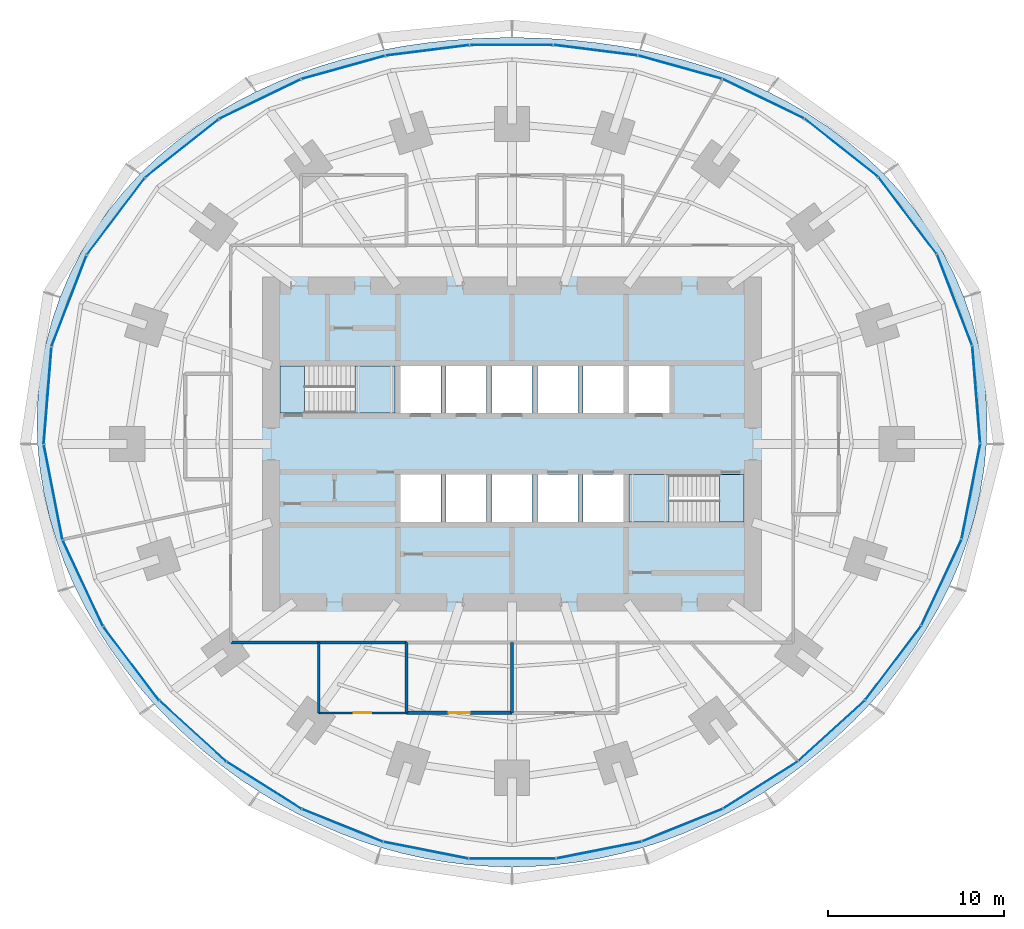
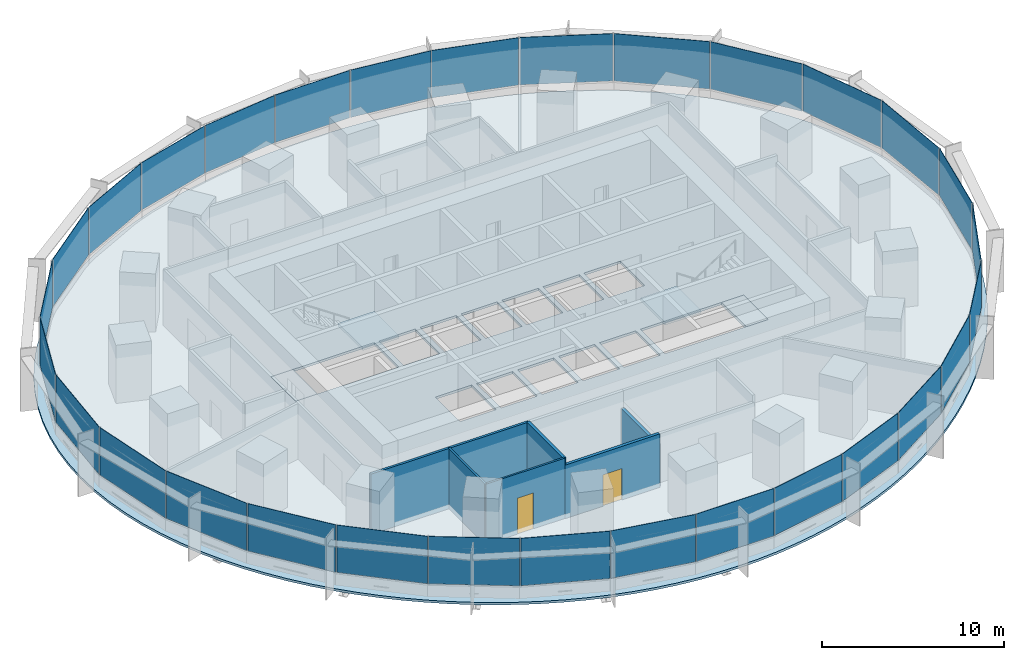
# One storey, part 10 of 15: 30 plates, 6 walls, 5 slabs, 2 doors, 2 openings, 8 elements without a shape of their own.
"""IFC4 building model written with IfcOpenShell, lengths in metres."""

from ifc_helpers import new_model, si_unit, direction, frame, frame_2d, origin, origin_2d, place, context, subcontext, project, spatial, polyline, rectangle, outline, extrude, material, layer, layer_set, type_object, element, fill, aggregate, save


model = new_model("IFC4")

# Units and contexts
model_context = context("Model", 3, precision=1e-05, world=origin(), true_north=direction((0.0, 1.0)))
body_context = subcontext(model_context, "Body", "Model", "MODEL_VIEW")
ifc_project = project(units=[si_unit("LENGTHUNIT", "METRE"), si_unit("AREAUNIT", "SQUARE_METRE"), si_unit("VOLUMEUNIT", "CUBIC_METRE"), si_unit("PLANEANGLEUNIT", "RADIAN"), si_unit("MASSUNIT", "GRAM", prefix="KILO")], contexts=[model_context])

# Site, building, storey
site_placement = place(None, origin())
site = spatial("IfcSite", under=ifc_project, at=site_placement, CompositionType="ELEMENT")
building_placement = place(site_placement, origin())
building = spatial("IfcBuilding", under=site, at=building_placement, Name="Marramba Exchange Tower", CompositionType="ELEMENT")
storey_placement = place(building_placement, frame((0.0, 0.0, 49.0)))
storey = spatial("IfcBuildingStorey", under=building, at=storey_placement, Name="L11", CompositionType="ELEMENT", Elevation=49.0)

# Slab
ifc_material_1 = material(Name="Concrete N40", Category="concrete")
ifc_layer_1 = layer(ifc_material_1, 0.159912109375)
ifc_layer_set_1 = layer_set([ifc_layer_1], Name="Composite floor slab 160")
slab_type_1 = type_object("IfcSlabType", Name="Composite floor slab 160", PredefinedType="FLOOR", material=ifc_layer_set_1)
slab_1_placement = place(storey_placement, frame((0.0, 0.0, -0.159912109375)))
element("IfcSlab", 1, at=slab_1_placement, inside=storey, type_object=slab_type_1, Name="Floor slab L11", PredefinedType="FLOOR", context=body_context, shape_type="SweptSolid", body=[
    extrude(outline(polyline([(27.0, 0.0), (27.035888671875, 1.4169921875), (26.97265625, 2.8349609375), (26.80859375, 4.24609375), (26.5439453125, 5.64208984375), (26.179443359375, 7.0146484375), (25.717529296875, 8.356201171875), (25.16162109375, 9.65869140625), (24.516357421875, 10.915283203125), (23.786865234375, 12.1201171875), (22.9794921875, 13.267333984375), (22.10107421875, 14.3525390625), (21.158447265625, 15.37255859375), (20.159423828125, 16.32470703125), (19.11083984375, 17.20751953125), (18.020263671875, 18.020263671875), (16.89453125, 18.763427734375), (15.740478515625, 19.437744140625), (14.563720703125, 20.04541015625), (13.3701171875, 20.588134765625), (12.164306640625, 21.069091796875), (10.9501953125, 21.4912109375), (9.7314453125, 21.857421875), (8.5107421875, 22.1708984375), (7.289794921875, 22.435302734375), (6.06982421875, 22.6533203125), (4.85205078125, 22.827392578125), (3.636474609375, 22.96044921875), (2.423095703125, 23.053955078125), (1.211181640625, 23.109619140625), (0.0, 23.1279296875), (-1.211181640625, 23.109619140625), (-2.423095703125, 23.053955078125), (-3.636474609375, 22.96044921875), (-4.85205078125, 22.827392578125), (-6.06982421875, 22.6533203125), (-7.289794921875, 22.435302734375), (-8.5107421875, 22.1708984375), (-9.7314453125, 21.857421875), (-10.9501953125, 21.4912109375), (-12.164306640625, 21.069091796875), (-13.3701171875, 20.588134765625), (-14.563720703125, 20.04541015625), (-15.740478515625, 19.437744140625), (-16.89453125, 18.763427734375), (-18.020263671875, 18.020263671875), (-19.11083984375, 17.20751953125), (-20.159423828125, 16.32470703125), (-21.158447265625, 15.37255859375), (-22.10107421875, 14.3525390625), (-22.9794921875, 13.267333984375), (-23.786865234375, 12.1201171875), (-24.516357421875, 10.915283203125), (-25.16162109375, 9.65869140625), (-25.717529296875, 8.356201171875), (-26.179443359375, 7.0146484375), (-26.5439453125, 5.64208984375), (-26.80859375, 4.24609375), (-26.97265625, 2.8349609375), (-27.035888671875, 1.4169921875), (-27.0, 0.0), (-26.8671875, -1.407958984375), (-26.64111328125, -2.800048828125), (-26.326171875, -4.169677734375), (-25.927001953125, -5.510986328125), (-25.44921875, -6.819091796875), (-24.8984375, -8.090087890625), (-24.280517578125, -9.320556640625), (-23.60107421875, -10.5078125), (-22.865234375, -11.650390625), (-22.078369140625, -12.7470703125), (-21.244873046875, -13.796630859375), (-20.36865234375, -14.798583984375), (-19.453369140625, -15.753173828125), (-18.502197265625, -16.659423828125), (-17.517578125, -17.517578125), (-16.501953125, -18.327392578125), (-15.457275390625, -19.088134765625), (-14.385009765625, -19.799072265625), (-13.286865234375, -20.459716796875), (-12.164306640625, -21.069091796875), (-11.01904296875, -21.6259765625), (-9.8525390625, -22.129150390625), (-8.66650390625, -22.577392578125), (-7.463134765625, -22.968994140625), (-6.244140625, -23.30322265625), (-5.01171875, -23.578369140625), (-3.7685546875, -23.793701171875), (-2.51708984375, -23.947998046875), (-1.260009765625, -24.041015625), (0.0, -24.072021484375), (1.260009765625, -24.041015625), (2.51708984375, -23.947998046875), (3.7685546875, -23.793701171875), (5.01171875, -23.578369140625), (6.244140625, -23.30322265625), (7.463134765625, -22.968994140625), (8.66650390625, -22.577392578125), (9.8525390625, -22.129150390625), (11.01904296875, -21.6259765625), (12.164306640625, -21.069091796875), (13.286865234375, -20.459716796875), (14.385009765625, -19.799072265625), (15.457275390625, -19.088134765625), (16.501953125, -18.327392578125), (17.517578125, -17.517578125), (18.502197265625, -16.659423828125), (19.453369140625, -15.753173828125), (20.36865234375, -14.798583984375), (21.244873046875, -13.796630859375), (22.078369140625, -12.7470703125), (22.865234375, -11.650390625), (23.60107421875, -10.5078125), (24.280517578125, -9.320556640625), (24.8984375, -8.090087890625), (25.44921875, -6.819091796875), (25.927001953125, -5.510986328125), (26.326171875, -4.169677734375), (26.64111328125, -2.800048828125), (26.8671875, -1.407958984375), (27.0, 0.0)]), holes=[polyline([(-6.35009765625, 1.75), (-4.050048828125, 1.75), (-4.050048828125, 4.449951171875), (-6.35009765625, 4.449951171875), (-6.35009765625, 1.75)]), polyline([(-3.75, 1.75), (-1.449951171875, 1.75), (-1.449951171875, 4.449951171875), (-3.75, 4.449951171875), (-3.75, 1.75)]), polyline([(-1.14990234375, 1.75), (1.14990234375, 1.75), (1.14990234375, 4.449951171875), (-1.14990234375, 4.449951171875), (-1.14990234375, 1.75)]), polyline([(1.449951171875, 1.75), (3.75, 1.75), (3.75, 4.449951171875), (1.449951171875, 4.449951171875), (1.449951171875, 1.75)]), polyline([(4.050048828125, 1.75), (6.35009765625, 1.75), (6.35009765625, 4.449951171875), (4.050048828125, 4.449951171875), (4.050048828125, 1.75)]), polyline([(-6.35009765625, -4.449951171875), (-4.050048828125, -4.449951171875), (-4.050048828125, -1.75), (-6.35009765625, -1.75), (-6.35009765625, -4.449951171875)]), polyline([(-3.75, -4.449951171875), (-1.449951171875, -4.449951171875), (-1.449951171875, -1.75), (-3.75, -1.75), (-3.75, -4.449951171875)]), polyline([(-1.14990234375, -4.449951171875), (1.14990234375, -4.449951171875), (1.14990234375, -1.75), (-1.14990234375, -1.75), (-1.14990234375, -4.449951171875)]), polyline([(1.449951171875, -4.449951171875), (3.75, -4.449951171875), (3.75, -1.75), (1.449951171875, -1.75), (1.449951171875, -4.449951171875)]), polyline([(4.050048828125, -4.449951171875), (6.35009765625, -4.449951171875), (6.35009765625, -1.75), (4.050048828125, -1.75), (4.050048828125, -4.449951171875)]), polyline([(6.64990234375, 1.75), (8.949951171875, 1.75), (8.949951171875, 4.449951171875), (6.64990234375, 4.449951171875), (6.64990234375, 1.75)]), polyline([(-13.199951171875, 1.75), (-6.64990234375, 1.75), (-6.64990234375, 4.449951171875), (-13.199951171875, 4.449951171875), (-13.199951171875, 1.75)]), polyline([(6.64990234375, -4.449951171875), (13.199951171875, -4.449951171875), (13.199951171875, -1.75), (6.64990234375, -1.75), (6.64990234375, -4.449951171875)])]), origin(), (0.0, 0.0, 1.0), 0.159912109375),
])

# Stair, slabs
ifc_material_2 = material(Name="Concrete N40 (40 MPa)", Category="concrete")
stair_type_1 = type_object("IfcStairType", Name="Exit stair ST1 4200 x 1250", PredefinedType="HALF_TURN_STAIR", material=ifc_material_2)
stair_1_placement = place(storey_placement, origin())
stair_1 = element("IfcStair", 2, at=stair_1_placement, inside=storey, type_object=stair_type_1, Name="Exit stair ST1 L11", PredefinedType="HALF_TURN_STAIR")
ifc_layer_2 = layer(ifc_material_2, 0.199951171875)
ifc_layer_set_2 = layer_set([ifc_layer_2], Name="Stair landing 200")
slab_type_2 = type_object("IfcSlabType", Name="Stair landing 200", PredefinedType="LANDING", material=ifc_layer_set_2)
slab_2_placement = place(storey_placement, frame((0.0, 0.0, -0.199951171875)))
slab_2 = element("IfcSlab", 3, at=slab_2_placement, type_object=slab_type_2, Name="ST1 landing 1", PredefinedType="LANDING", context=body_context, shape_type="SweptSolid", body=[
    extrude(outline(polyline([(-13.199951171875, 1.75), (-11.800048828125, 1.75), (-11.800048828125, 4.449951171875), (-13.199951171875, 4.449951171875), (-13.199951171875, 1.75)])), origin(), (0.0, 0.0, 1.0), 0.199951171875),
])
slab_3_placement = place(storey_placement, frame((0.0, 0.0, 1.89990234375)))
slab_3 = element("IfcSlab", 4, at=slab_3_placement, type_object=slab_type_2, Name="ST1 landing 2", PredefinedType="LANDING", context=body_context, shape_type="SweptSolid", body=[
    extrude(outline(polyline([(-8.93994140625, 1.75), (-6.64990234375, 1.75), (-6.64990234375, 4.449951171875), (-8.93994140625, 4.449951171875), (-8.93994140625, 1.75)])), origin(), (0.0, 0.0, 1.0), 0.2001953125),
])
aggregate(stair_1, [slab_2, slab_3])

stair_type_2 = type_object("IfcStairType", Name="Exit stair ST2 4200 x 1250", PredefinedType="HALF_TURN_STAIR", material=ifc_material_2)
stair_2_placement = place(storey_placement, origin())
stair_2 = element("IfcStair", 5, at=stair_2_placement, inside=storey, type_object=stair_type_2, Name="Exit stair ST2 L11", PredefinedType="HALF_TURN_STAIR")
slab_4_placement = place(storey_placement, frame((0.0, 0.0, -0.199951171875)))
slab_4 = element("IfcSlab", 6, at=slab_4_placement, type_object=slab_type_2, Name="ST2 landing 1", PredefinedType="LANDING", context=body_context, shape_type="SweptSolid", body=[
    extrude(outline(polyline([(11.800048828125, -4.449951171875), (13.199951171875, -4.449951171875), (13.199951171875, -1.75), (11.800048828125, -1.75), (11.800048828125, -4.449951171875)])), origin(), (0.0, 0.0, 1.0), 0.199951171875),
])
slab_5_placement = place(storey_placement, frame((0.0, 0.0, 1.89990234375)))
slab_5 = element("IfcSlab", 7, at=slab_5_placement, type_object=slab_type_2, Name="ST2 landing 2", PredefinedType="LANDING", context=body_context, shape_type="SweptSolid", body=[
    extrude(outline(polyline([(6.64990234375, -4.449951171875), (8.93994140625, -4.449951171875), (8.93994140625, -1.75), (6.64990234375, -1.75), (6.64990234375, -4.449951171875)])), origin(), (0.0, 0.0, 1.0), 0.2001953125),
])
aggregate(stair_2, [slab_4, slab_5])

# Curtain wall, plates
ifc_material_3 = material(Name="Aluminium framing, bronze anodised", Category="aluminium")
curtain_wall_type = type_object("IfcCurtainWallType", Name="Trading floor ribbon curtain wall", PredefinedType="USERDEFINED", material=ifc_material_3)
curtain_wall_1_placement = place(storey_placement, origin())
curtain_wall_1 = element("IfcCurtainWall", 8, at=curtain_wall_1_placement, inside=storey, type_object=curtain_wall_type, Name="Curtain wall CW3 L11 F01-F05", ObjectType="RIBBON CURTAIN WALL", PredefinedType="USERDEFINED")
ifc_material_4 = material(Name="Double glazed unit 10 + 12 + 8.76, bronze tinted", Category="glass")
ifc_layer_3 = layer(ifc_material_4, 0.03076171875)
ifc_layer_set_3 = layer_set([ifc_layer_3], Name="Trading floor ribbon curtain wall panel")
plate_type = type_object("IfcPlateType", Name="Trading floor ribbon curtain wall panel", PredefinedType="CURTAIN_PANEL", material=ifc_layer_set_3)
plate_1_placement = place(storey_placement, frame((26.42333984375, 2.814453125, 0.85986328125), z_axis=(0.0, 0.0, 1.0), x_axis=(-0.080275225953, 0.996772736434, 0.0)))
plate_1 = element("IfcPlate", 9, at=plate_1_placement, type_object=plate_type, Name="CW3 vision panel", PredefinedType="CURTAIN_PANEL", context=body_context, shape_type="SweptSolid", body=[
    extrude(rectangle(XDim=5.52734375, YDim=0.03076171875, at=origin_2d()), origin(), (0.0, 0.0, 1.0), 3.179931640625),
])
plate_2_placement = place(storey_placement, frame((25.188232421875, 8.19921875, 0.85986328125), z_axis=(0.0, 0.0, 1.0), x_axis=(-0.359525510698, 0.933135256626, 0.0)))
plate_2 = element("IfcPlate", 10, at=plate_2_placement, type_object=plate_type, Name="CW3 vision panel", PredefinedType="CURTAIN_PANEL", context=body_context, shape_type="SweptSolid", body=[
    extrude(rectangle(XDim=5.5166015625, YDim=0.03076171875, at=origin_2d()), origin(), (0.0, 0.0, 1.0), 3.179931640625),
])
plate_3_placement = place(storey_placement, frame((22.517822265625, 12.993896484375, 0.85986328125), z_axis=(0.0, 0.0, 1.0), x_axis=(-0.602989765036, 0.797748922445, 0.0)))
plate_3 = element("IfcPlate", 11, at=plate_3_placement, type_object=plate_type, Name="CW3 vision panel", PredefinedType="CURTAIN_PANEL", context=body_context, shape_type="SweptSolid", body=[
    extrude(rectangle(XDim=5.44775390625, YDim=0.03076171875, at=origin_2d()), origin(), (0.0, 0.0, 1.0), 3.179931640625),
])
plate_4_placement = place(storey_placement, frame((18.744384765625, 16.853759765625, 0.85986328125), z_axis=(0.0, 0.0, 1.0), x_axis=(-0.784087949432, 0.620649730166, 0.0)))
plate_4 = element("IfcPlate", 12, at=plate_4_placement, type_object=plate_type, Name="CW3 vision panel", PredefinedType="CURTAIN_PANEL", context=body_context, shape_type="SweptSolid", body=[
    extrude(rectangle(XDim=5.315673828125, YDim=0.03076171875, at=origin_2d()), origin(), (0.0, 0.0, 1.0), 3.179931640625),
])
plate_5_placement = place(storey_placement, frame((14.2978515625, 19.647705078125, 0.85986328125), z_axis=(0.0, 0.0, 1.0), x_axis=(-0.899963433508, 0.43596538664, 0.0)))
plate_5 = element("IfcPlate", 13, at=plate_5_placement, type_object=plate_type, Name="CW3 vision panel", PredefinedType="CURTAIN_PANEL", context=body_context, shape_type="SweptSolid", body=[
    extrude(rectangle(XDim=5.13037109375, YDim=0.03076171875, at=origin_2d()), origin(), (0.0, 0.0, 1.0), 3.179931640625),
])
aggregate(curtain_wall_1, [plate_1, plate_2, plate_3, plate_4, plate_5])

curtain_wall_2_placement = place(storey_placement, origin())
curtain_wall_2 = element("IfcCurtainWall", 14, at=curtain_wall_2_placement, inside=storey, type_object=curtain_wall_type, Name="Curtain wall CW3 L11 F06-F10", ObjectType="RIBBON CURTAIN WALL", PredefinedType="USERDEFINED")
plate_6_placement = place(storey_placement, frame((9.556396484375, 21.4423828125, 0.85986328125), z_axis=(0.0, 0.0, 1.0), x_axis=(-0.963472096649, 0.267808735815, 0.0)))
plate_6 = element("IfcPlate", 15, at=plate_6_placement, type_object=plate_type, Name="CW3 vision panel", PredefinedType="CURTAIN_PANEL", context=body_context, shape_type="SweptSolid", body=[
    extrude(rectangle(XDim=4.929931640625, YDim=0.03076171875, at=origin_2d()), origin(), (0.0, 0.0, 1.0), 3.179931640625),
])
plate_7_placement = place(storey_placement, frame((4.754150390625, 22.407958984375, 0.85986328125), z_axis=(0.0, 0.0, 1.0), x_axis=(-0.992172768738, 0.124872723099, 0.0)))
plate_7 = element("IfcPlate", 16, at=plate_7_placement, type_object=plate_type, Name="CW3 vision panel", PredefinedType="CURTAIN_PANEL", context=body_context, shape_type="SweptSolid", body=[
    extrude(rectangle(XDim=4.77294921875, YDim=0.03076171875, at=origin_2d()), origin(), (0.0, 0.0, 1.0), 3.179931640625),
])
plate_8_placement = place(storey_placement, frame((-0.030029296875, 22.7060546875, 0.85986328125), z_axis=(0.0, 0.0, 1.0), x_axis=(-1.0, 0.0, 0.0)))
plate_8 = element("IfcPlate", 17, at=plate_8_placement, type_object=plate_type, Name="CW3 vision panel", PredefinedType="CURTAIN_PANEL", context=body_context, shape_type="SweptSolid", body=[
    extrude(rectangle(XDim=4.712890625, YDim=0.03076171875, at=origin_2d()), origin(), (0.0, 0.0, 1.0), 3.179931640625),
])
plate_9_placement = place(storey_placement, frame((-4.813720703125, 22.400390625, 0.85986328125), z_axis=(0.0, 0.0, 1.0), x_axis=(-0.992172768738, -0.124872723099, 0.0)))
plate_9 = element("IfcPlate", 18, at=plate_9_placement, type_object=plate_type, Name="CW3 vision panel", PredefinedType="CURTAIN_PANEL", context=body_context, shape_type="SweptSolid", body=[
    extrude(rectangle(XDim=4.77294921875, YDim=0.03076171875, at=origin_2d()), origin(), (0.0, 0.0, 1.0), 3.179931640625),
])
plate_10_placement = place(storey_placement, frame((-9.6142578125, 21.42626953125, 0.85986328125), z_axis=(0.0, 0.0, 1.0), x_axis=(-0.963472096649, -0.267808735815, 0.0)))
plate_10 = element("IfcPlate", 19, at=plate_10_placement, type_object=plate_type, Name="CW3 vision panel", PredefinedType="CURTAIN_PANEL", context=body_context, shape_type="SweptSolid", body=[
    extrude(rectangle(XDim=4.929931640625, YDim=0.03076171875, at=origin_2d()), origin(), (0.0, 0.0, 1.0), 3.179931640625),
])
aggregate(curtain_wall_2, [plate_6, plate_7, plate_8, plate_9, plate_10])

curtain_wall_3_placement = place(storey_placement, origin())
curtain_wall_3 = element("IfcCurtainWall", 20, at=curtain_wall_3_placement, inside=storey, type_object=curtain_wall_type, Name="Curtain wall CW3 L11 F11-F15", ObjectType="RIBBON CURTAIN WALL", PredefinedType="USERDEFINED")
plate_11_placement = place(storey_placement, frame((-14.351806640625, 19.62158203125, 0.85986328125), z_axis=(0.0, 0.0, 1.0), x_axis=(-0.899963433508, -0.43596538664, 0.0)))
plate_11 = element("IfcPlate", 21, at=plate_11_placement, type_object=plate_type, Name="CW3 vision panel", PredefinedType="CURTAIN_PANEL", context=body_context, shape_type="SweptSolid", body=[
    extrude(rectangle(XDim=5.13037109375, YDim=0.03076171875, at=origin_2d()), origin(), (0.0, 0.0, 1.0), 3.179931640625),
])
plate_12_placement = place(storey_placement, frame((-18.79150390625, 16.81640625, 0.85986328125), z_axis=(0.0, 0.0, 1.0), x_axis=(-0.784087949432, -0.620649730166, 0.0)))
plate_12 = element("IfcPlate", 22, at=plate_12_placement, type_object=plate_type, Name="CW3 vision panel", PredefinedType="CURTAIN_PANEL", context=body_context, shape_type="SweptSolid", body=[
    extrude(rectangle(XDim=5.315673828125, YDim=0.03076171875, at=origin_2d()), origin(), (0.0, 0.0, 1.0), 3.179931640625),
])
plate_13_placement = place(storey_placement, frame((-22.553955078125, 12.946044921875, 0.85986328125), z_axis=(0.0, 0.0, 1.0), x_axis=(-0.602989765036, -0.797748922445, 0.0)))
plate_13 = element("IfcPlate", 23, at=plate_13_placement, type_object=plate_type, Name="CW3 vision panel", PredefinedType="CURTAIN_PANEL", context=body_context, shape_type="SweptSolid", body=[
    extrude(rectangle(XDim=5.44775390625, YDim=0.03076171875, at=origin_2d()), origin(), (0.0, 0.0, 1.0), 3.179931640625),
])
plate_14_placement = place(storey_placement, frame((-25.209716796875, 8.14306640625, 0.85986328125), z_axis=(0.0, 0.0, 1.0), x_axis=(-0.359525510698, -0.933135256626, 0.0)))
plate_14 = element("IfcPlate", 24, at=plate_14_placement, type_object=plate_type, Name="CW3 vision panel", PredefinedType="CURTAIN_PANEL", context=body_context, shape_type="SweptSolid", body=[
    extrude(rectangle(XDim=5.5166015625, YDim=0.03076171875, at=origin_2d()), origin(), (0.0, 0.0, 1.0), 3.179931640625),
])
plate_15_placement = place(storey_placement, frame((-26.42822265625, 2.754638671875, 0.85986328125), z_axis=(0.0, 0.0, 1.0), x_axis=(-0.080275225953, -0.996772736434, 0.0)))
plate_15 = element("IfcPlate", 25, at=plate_15_placement, type_object=plate_type, Name="CW3 vision panel", PredefinedType="CURTAIN_PANEL", context=body_context, shape_type="SweptSolid", body=[
    extrude(rectangle(XDim=5.52734375, YDim=0.03076171875, at=origin_2d()), origin(), (0.0, 0.0, 1.0), 3.179931640625),
])
aggregate(curtain_wall_3, [plate_11, plate_12, plate_13, plate_14, plate_15])

curtain_wall_4_placement = place(storey_placement, origin())
curtain_wall_4 = element("IfcCurtainWall", 26, at=curtain_wall_4_placement, inside=storey, type_object=curtain_wall_type, Name="Curtain wall CW3 L11 F16-F20", ObjectType="RIBBON CURTAIN WALL", PredefinedType="USERDEFINED")
plate_16_placement = place(storey_placement, frame((-26.111572265625, -2.74853515625, 0.85986328125), z_axis=(0.0, 0.0, 1.0), x_axis=(0.1922485756, -0.981346261612, 0.0)))
plate_16 = element("IfcPlate", 27, at=plate_16_placement, type_object=plate_type, Name="CW3 vision panel", PredefinedType="CURTAIN_PANEL", context=body_context, shape_type="SweptSolid", body=[
    extrude(rectangle(XDim=5.4814453125, YDim=0.03076171875, at=origin_2d()), origin(), (0.0, 0.0, 1.0), 3.179931640625),
])
plate_17_placement = place(storey_placement, frame((-24.420166015625, -7.928955078125, 0.85986328125), z_axis=(0.0, 0.0, 1.0), x_axis=(0.423477206492, -0.905906758768, 0.0)))
plate_17 = element("IfcPlate", 28, at=plate_17_placement, type_object=plate_type, Name="CW3 vision panel", PredefinedType="CURTAIN_PANEL", context=body_context, shape_type="SweptSolid", body=[
    extrude(rectangle(XDim=5.379150390625, YDim=0.03076171875, at=origin_2d()), origin(), (0.0, 0.0, 1.0), 3.179931640625),
])
plate_18_placement = place(storey_placement, frame((-21.665283203125, -12.503173828125, 0.85986328125), z_axis=(0.0, 0.0, 1.0), x_axis=(0.603040473588, -0.797710591138, 0.0)))
plate_18 = element("IfcPlate", 29, at=plate_18_placement, type_object=plate_type, Name="CW3 vision panel", PredefinedType="CURTAIN_PANEL", context=body_context, shape_type="SweptSolid", body=[
    extrude(rectangle(XDim=5.239501953125, YDim=0.03076171875, at=origin_2d()), origin(), (0.0, 0.0, 1.0), 3.179931640625),
])
plate_19_placement = place(storey_placement, frame((-18.154541015625, -16.350341796875, 0.85986328125), z_axis=(0.0, 0.0, 1.0), x_axis=(0.739589581463, -0.673058133441, 0.0)))
plate_19 = element("IfcPlate", 30, at=plate_19_placement, type_object=plate_type, Name="CW3 vision panel", PredefinedType="CURTAIN_PANEL", context=body_context, shape_type="SweptSolid", body=[
    extrude(rectangle(XDim=5.101806640625, YDim=0.03076171875, at=origin_2d()), origin(), (0.0, 0.0, 1.0), 3.179931640625),
])
plate_20_placement = place(storey_placement, frame((-14.103271484375, -19.4326171875, 0.85986328125), z_axis=(0.0, 0.0, 1.0), x_axis=(0.845790826298, -0.533514646612, 0.0)))
plate_20 = element("IfcPlate", 31, at=plate_20_placement, type_object=plate_type, Name="CW3 vision panel", PredefinedType="CURTAIN_PANEL", context=body_context, shape_type="SweptSolid", body=[
    extrude(rectangle(XDim=4.99853515625, YDim=0.03076171875, at=origin_2d()), origin(), (0.0, 0.0, 1.0), 3.179931640625),
])
aggregate(curtain_wall_4, [plate_16, plate_17, plate_18, plate_19, plate_20])

curtain_wall_5_placement = place(storey_placement, origin())
curtain_wall_5 = element("IfcCurtainWall", 32, at=curtain_wall_5_placement, inside=storey, type_object=curtain_wall_type, Name="Curtain wall CW3 L11 F21-F25", ObjectType="RIBBON CURTAIN WALL", PredefinedType="USERDEFINED")
plate_21_placement = place(storey_placement, frame((-9.644287109375, -21.71240234375, 0.85986328125), z_axis=(0.0, 0.0, 1.0), x_axis=(0.927340673283, -0.374218219325, 0.0)))
plate_21 = element("IfcPlate", 33, at=plate_21_placement, type_object=plate_type, Name="CW3 vision panel", PredefinedType="CURTAIN_PANEL", context=body_context, shape_type="SweptSolid", body=[
    extrude(rectangle(XDim=4.9375, YDim=0.03076171875, at=origin_2d()), origin(), (0.0, 0.0, 1.0), 3.179931640625),
])
plate_22_placement = place(storey_placement, frame((-4.88818359375, -23.1240234375, 0.85986328125), z_axis=(0.0, 0.0, 1.0), x_axis=(0.98100920064, -0.193961202977, 0.0)))
plate_22 = element("IfcPlate", 34, at=plate_22_placement, type_object=plate_type, Name="CW3 vision panel", PredefinedType="CURTAIN_PANEL", context=body_context, shape_type="SweptSolid", body=[
    extrude(rectangle(XDim=4.908935546875, YDim=0.03076171875, at=origin_2d()), origin(), (0.0, 0.0, 1.0), 3.179931640625),
])
plate_23_placement = place(storey_placement, frame((0.030029296875, -23.599853515625, 0.85986328125), z_axis=(0.0, 0.0, 1.0), x_axis=(1.0, 0.0, 0.0)))
plate_23 = element("IfcPlate", 35, at=plate_23_placement, type_object=plate_type, Name="CW3 vision panel", PredefinedType="CURTAIN_PANEL", context=body_context, shape_type="SweptSolid", body=[
    extrude(rectangle(XDim=4.90087890625, YDim=0.03076171875, at=origin_2d()), origin(), (0.0, 0.0, 1.0), 3.179931640625),
])
plate_24_placement = place(storey_placement, frame((4.947021484375, -23.1123046875, 0.85986328125), z_axis=(0.0, 0.0, 1.0), x_axis=(0.98100920064, 0.193961202977, 0.0)))
plate_24 = element("IfcPlate", 36, at=plate_24_placement, type_object=plate_type, Name="CW3 vision panel", PredefinedType="CURTAIN_PANEL", context=body_context, shape_type="SweptSolid", body=[
    extrude(rectangle(XDim=4.908935546875, YDim=0.03076171875, at=origin_2d()), origin(), (0.0, 0.0, 1.0), 3.179931640625),
])
plate_25_placement = place(storey_placement, frame((9.699951171875, -21.68994140625, 0.85986328125), z_axis=(0.0, 0.0, 1.0), x_axis=(0.927340673283, 0.374218219325, 0.0)))
plate_25 = element("IfcPlate", 37, at=plate_25_placement, type_object=plate_type, Name="CW3 vision panel", PredefinedType="CURTAIN_PANEL", context=body_context, shape_type="SweptSolid", body=[
    extrude(rectangle(XDim=4.9375, YDim=0.03076171875, at=origin_2d()), origin(), (0.0, 0.0, 1.0), 3.179931640625),
])
aggregate(curtain_wall_5, [plate_21, plate_22, plate_23, plate_24, plate_25])

curtain_wall_6_placement = place(storey_placement, origin())
curtain_wall_6 = element("IfcCurtainWall", 38, at=curtain_wall_6_placement, inside=storey, type_object=curtain_wall_type, Name="Curtain wall CW3 L11 F26-F30", ObjectType="RIBBON CURTAIN WALL", PredefinedType="USERDEFINED")
plate_26_placement = place(storey_placement, frame((14.15380859375, -19.400634765625, 0.85986328125), z_axis=(0.0, 0.0, 1.0), x_axis=(0.845790826298, 0.533514646612, 0.0)))
plate_26 = element("IfcPlate", 39, at=plate_26_placement, type_object=plate_type, Name="CW3 vision panel", PredefinedType="CURTAIN_PANEL", context=body_context, shape_type="SweptSolid", body=[
    extrude(rectangle(XDim=4.99853515625, YDim=0.03076171875, at=origin_2d()), origin(), (0.0, 0.0, 1.0), 3.179931640625),
])
plate_27_placement = place(storey_placement, frame((18.19873046875, -16.309814453125, 0.85986328125), z_axis=(0.0, 0.0, 1.0), x_axis=(0.739589581463, 0.673058133441, 0.0)))
plate_27 = element("IfcPlate", 40, at=plate_27_placement, type_object=plate_type, Name="CW3 vision panel", PredefinedType="CURTAIN_PANEL", context=body_context, shape_type="SweptSolid", body=[
    extrude(rectangle(XDim=5.101806640625, YDim=0.03076171875, at=origin_2d()), origin(), (0.0, 0.0, 1.0), 3.179931640625),
])
plate_28_placement = place(storey_placement, frame((21.701416015625, -12.455322265625, 0.85986328125), z_axis=(0.0, 0.0, 1.0), x_axis=(0.603040473588, 0.797710591138, 0.0)))
plate_28 = element("IfcPlate", 41, at=plate_28_placement, type_object=plate_type, Name="CW3 vision panel", PredefinedType="CURTAIN_PANEL", context=body_context, shape_type="SweptSolid", body=[
    extrude(rectangle(XDim=5.239501953125, YDim=0.03076171875, at=origin_2d()), origin(), (0.0, 0.0, 1.0), 3.179931640625),
])
plate_29_placement = place(storey_placement, frame((24.44580078125, -7.874755859375, 0.85986328125), z_axis=(0.0, 0.0, 1.0), x_axis=(0.423477206492, 0.905906758768, 0.0)))
plate_29 = element("IfcPlate", 42, at=plate_29_placement, type_object=plate_type, Name="CW3 vision panel", PredefinedType="CURTAIN_PANEL", context=body_context, shape_type="SweptSolid", body=[
    extrude(rectangle(XDim=5.379150390625, YDim=0.03076171875, at=origin_2d()), origin(), (0.0, 0.0, 1.0), 3.179931640625),
])
plate_30_placement = place(storey_placement, frame((26.123046875, -2.689697265625, 0.85986328125), z_axis=(0.0, 0.0, 1.0), x_axis=(0.1922485756, 0.981346261612, 0.0)))
plate_30 = element("IfcPlate", 43, at=plate_30_placement, type_object=plate_type, Name="CW3 vision panel", PredefinedType="CURTAIN_PANEL", context=body_context, shape_type="SweptSolid", body=[
    extrude(rectangle(XDim=5.4814453125, YDim=0.03076171875, at=origin_2d()), origin(), (0.0, 0.0, 1.0), 3.179931640625),
])
aggregate(curtain_wall_6, [plate_26, plate_27, plate_28, plate_29, plate_30])

# Wall
ifc_material_5 = material(Name="Core-filled concrete blockwork, rendered", Category="masonry")
ifc_layer_4 = layer(ifc_material_5, 0.18994140625)
ifc_layer_set_4 = layer_set([ifc_layer_4], Name="Equipment room wall 190")
wall_type_1 = type_object("IfcWallType", Name="Equipment room wall 190", PredefinedType="SOLIDWALL", material=ifc_layer_set_4)
wall_1_placement = place(storey_placement, frame((-6.0, -15.300048828125, 0.0), z_axis=(0.0, 0.0, 1.0), x_axis=(0.0, 1.0, 0.0)))
element("IfcWall", 44, at=wall_1_placement, inside=storey, type_object=wall_type_1, Name="Equipment room wall L11 07", PredefinedType="SOLIDWALL", context=body_context, shape_type="SweptSolid", body=[
    extrude(rectangle(XDim=4.0, YDim=0.18994140625, at=frame_2d((2.0, 0.0))), origin(), (0.0, 0.0, 1.0), 4.0400390625),
])

# Wall, opening, door
wall_2_placement = place(storey_placement, frame((-6.0, -15.300048828125, 0.0), z_axis=(0.0, 0.0, 1.0), x_axis=(1.0, 0.0, 0.0)))
wall_2 = element("IfcWall", 45, at=wall_2_placement, inside=storey, type_object=wall_type_1, Name="Equipment room wall L11 09", PredefinedType="SOLIDWALL", context=body_context, shape_type="SweptSolid", body=[
    extrude(rectangle(XDim=6.0, YDim=0.18994140625, at=frame_2d((3.0, 0.0))), origin(), (0.0, 0.0, 1.0), 3.5859375),
])
opening_1_placement = place(wall_2_placement, frame((2.39990234375, 0.0, 0.0)))
opening_1 = element("IfcOpeningElement", 46, at=opening_1_placement, cuts=wall_2, Name="Opening D16", PredefinedType="OPENING", context=body_context, shape_type="SweptSolid", body=[
    extrude(rectangle(XDim=1.199951171875, YDim=2.10009765625, at=frame_2d((0.60009765625, 1.050048828125))), frame((0.0, 0.10498046875, 0.0), z_axis=(0.0, -1.0, 0.0), x_axis=(1.0, 0.0, 0.0)), (0.0, 0.0, 1.0), 0.2099609375),
])
ifc_material_6 = material(Name="Steel-framed door", Category="steel")
door_type_1 = type_object("IfcDoorType", Name="Equipment room door 1200x2100", OperationType="SINGLE_SWING_LEFT", PredefinedType="DOOR", material=ifc_material_6)
door_1_placement = place(opening_1_placement, origin())
door_1 = element("IfcDoor", 47, at=door_1_placement, inside=storey, type_object=door_type_1, Name="D16 Data Room 3 L11", OperationType="SINGLE_SWING_RIGHT", OverallHeight=2.10009765625, OverallWidth=1.199951171875, PredefinedType="DOOR", context=body_context, shape_type="SweptSolid", body=[
    extrude(rectangle(XDim=1.199951171875, YDim=2.10009765625, at=frame_2d((0.60009765625, 1.050048828125))), frame((0.0, 0.02490234375, 0.0), z_axis=(0.0, -1.0, 0.0), x_axis=(1.0, 0.0, 0.0)), (0.0, 0.0, 1.0), 0.050048828125),
])
fill(opening_1, door_1)

# Walls
wall_3_placement = place(storey_placement, frame((0.0, -11.300048828125, 0.0), z_axis=(0.0, 0.0, 1.0), x_axis=(0.0, -1.0, 0.0)))
element("IfcWall", 48, at=wall_3_placement, inside=storey, type_object=wall_type_1, Name="Equipment room wall L11 10", PredefinedType="SOLIDWALL", context=body_context, shape_type="SweptSolid", body=[
    extrude(rectangle(XDim=4.0, YDim=0.18994140625, at=frame_2d((2.0, 0.0))), origin(), (0.0, 0.0, 1.0), 2.840087890625),
])
ifc_material_7 = material(Name="Plasterboard on steel studs", Category="steel")
ifc_layer_5 = layer(ifc_material_7, 0.1201171875)
ifc_layer_set_5 = layer_set([ifc_layer_5], Name="Partition 120")
wall_type_2 = type_object("IfcWallType", Name="Partition 120", PredefinedType="PARTITIONING", material=ifc_layer_set_5)
wall_4_placement = place(storey_placement, frame((-11.0, -11.300048828125, 0.0), z_axis=(0.0, 0.0, 1.0), x_axis=(0.0, -1.0, 0.0)))
element("IfcWall", 49, at=wall_4_placement, inside=storey, type_object=wall_type_2, Name="Partition L11 05", PredefinedType="PARTITIONING", context=body_context, shape_type="SweptSolid", body=[
    extrude(rectangle(XDim=4.0, YDim=0.1201171875, at=frame_2d((2.0, 0.0))), origin(), (0.0, 0.0, 1.0), 4.0400390625),
])

# Wall, opening, door
wall_5_placement = place(storey_placement, frame((-11.0, -15.300048828125, 0.0), z_axis=(0.0, 0.0, 1.0), x_axis=(1.0, 0.0, 0.0)))
wall_5 = element("IfcWall", 50, at=wall_5_placement, inside=storey, type_object=wall_type_2, Name="Partition L11 06", PredefinedType="PARTITIONING", context=body_context, shape_type="SweptSolid", body=[
    extrude(rectangle(XDim=5.0, YDim=0.1201171875, at=frame_2d((2.5, 0.0))), origin(), (0.0, 0.0, 1.0), 4.0400390625),
])
opening_2_placement = place(wall_5_placement, frame((2.0, 0.0, 0.0)))
opening_2 = element("IfcOpeningElement", 51, at=opening_2_placement, cuts=wall_5, Name="Opening D9", PredefinedType="OPENING", context=body_context, shape_type="SweptSolid", body=[
    extrude(rectangle(XDim=1.0, YDim=2.39990234375, at=frame_2d((0.5, 1.199951171875))), frame((0.0, 0.070068359375, 0.0), z_axis=(0.0, -1.0, 0.0), x_axis=(1.0, 0.0, 0.0)), (0.0, 0.0, 1.0), 0.14013671875),
])
ifc_material_8 = material(Name="Timber door", Category="wood")
door_type_2 = type_object("IfcDoorType", Name="Room door 1000x2400", OperationType="SINGLE_SWING_LEFT", PredefinedType="DOOR", material=ifc_material_8)
door_2_placement = place(opening_2_placement, origin())
door_2 = element("IfcDoor", 52, at=door_2_placement, inside=storey, type_object=door_type_2, Name="D9 Pantry 2 L11", OperationType="SINGLE_SWING_RIGHT", OverallHeight=2.39990234375, OverallWidth=1.0, PredefinedType="DOOR", context=body_context, shape_type="SweptSolid", body=[
    extrude(rectangle(XDim=1.0, YDim=2.39990234375, at=frame_2d((0.5, 1.199951171875))), frame((0.0, 0.02490234375, 0.0), z_axis=(0.0, -1.0, 0.0), x_axis=(1.0, 0.0, 0.0)), (0.0, 0.0, 1.0), 0.050048828125),
])
fill(opening_2, door_2)

# Wall
ifc_material_9 = material(Name="Fire-rated plasterboard on steel studs, acoustic insulation", Category="steel")
ifc_layer_6 = layer(ifc_material_9, 0.14990234375)
ifc_layer_set_6 = layer_set([ifc_layer_6], Name="Tenancy wall 150")
wall_type_3 = type_object("IfcWallType", Name="Tenancy wall 150", PredefinedType="PARTITIONING", material=ifc_layer_set_6)
wall_6_placement = place(storey_placement, frame((-16.0, -11.300048828125, 0.0), z_axis=(0.0, 0.0, 1.0), x_axis=(1.0, 0.0, 0.0)))
element("IfcWall", 53, at=wall_6_placement, inside=storey, type_object=wall_type_3, Name="Tenancy wall L11 04", PredefinedType="PARTITIONING", context=body_context, shape_type="SweptSolid", body=[
    extrude(rectangle(XDim=10.0, YDim=0.14990234375, at=frame_2d((5.0, 0.0))), origin(), (0.0, 0.0, 1.0), 4.0400390625),
])

save(model, "model.ifc")
